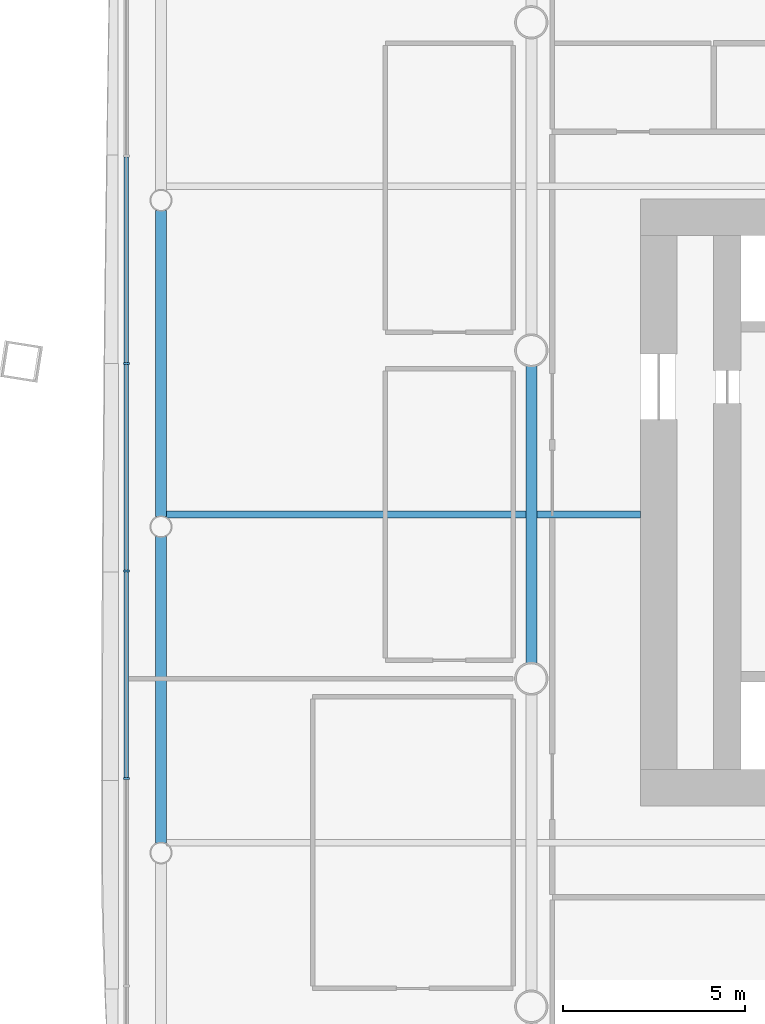
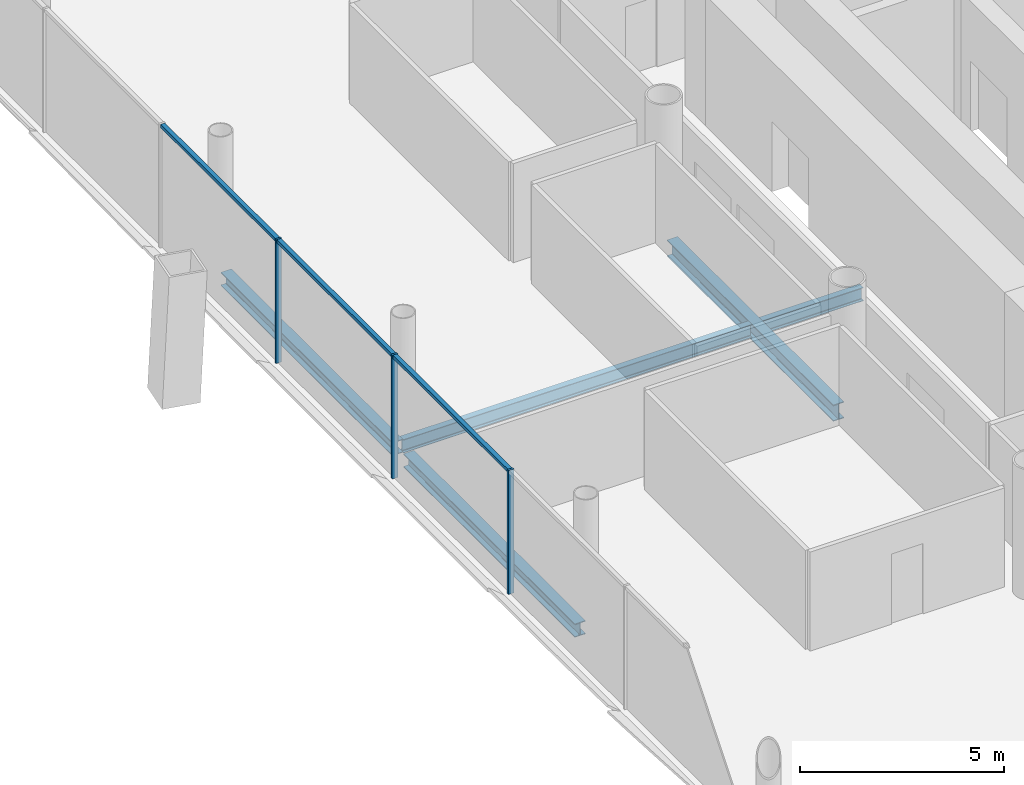
# One storey, part 4 of 20: 6 members, 5 beams, 1 element without a shape of its own.
"""IFC4 building model written with IfcOpenShell, lengths in metres."""

from ifc_helpers import new_model, si_unit, direction, frame, origin, origin_2d, place, context, subcontext, project, spatial, rectangle, i_section, extrude, material, material_profile, profile_set, type_object, element, aggregate, save


model = new_model("IFC4")

# Units and contexts
model_context = context("Model", 3, precision=1e-05, world=origin(), true_north=direction((0.0, 1.0)))
body_context = subcontext(model_context, "Body", "Model", "MODEL_VIEW")
ifc_project = project(units=[si_unit("LENGTHUNIT", "METRE"), si_unit("AREAUNIT", "SQUARE_METRE"), si_unit("VOLUMEUNIT", "CUBIC_METRE"), si_unit("PLANEANGLEUNIT", "RADIAN"), si_unit("MASSUNIT", "GRAM", prefix="KILO")], contexts=[model_context])

# Site, building, storey
site_placement = place(None, origin())
site = spatial("IfcSite", under=ifc_project, at=site_placement, CompositionType="ELEMENT")
building_placement = place(site_placement, origin())
building = spatial("IfcBuilding", under=site, at=building_placement, Name="Tskaro Facet Tower", CompositionType="ELEMENT")
storey_placement = place(building_placement, frame((0.0, 0.0, 49.800048828125)))
storey = spatial("IfcBuildingStorey", under=building, at=storey_placement, Name="L11", CompositionType="ELEMENT", Elevation=49.800048828125)

# Curtain wall, members
ifc_material_1 = material(Name="Bronze anodised aluminium 6063-T6", Category="aluminium")
curtain_wall_type = type_object("IfcCurtainWallType", Name="Bronze office curtain wall (FW1)", PredefinedType="NOTDEFINED", material=ifc_material_1)
curtain_wall_placement = place(storey_placement, origin())
curtain_wall = element("IfcCurtainWall", 1, at=curtain_wall_placement, inside=storey, type_object=curtain_wall_type, Name="FW1 west facet L11", PredefinedType="NOTDEFINED")
ifc_material_profile_1 = material_profile(ifc_material_1, rectangle(XDim=0.06005859375, YDim=0.159912109375, at=origin_2d()), Name="Mullion 60x160")
ifc_profile_set_1 = profile_set([ifc_material_profile_1], Name="Bronze anodised aluminium 6063-T6")
member_type_1 = type_object("IfcMemberType", Name="FW1 bronze mullion 60x160", PredefinedType="MULLION", material=ifc_profile_set_1)
member_1_placement = place(storey_placement, frame((-29.10693359375, -0.3583984375, 0.0), z_axis=(0.0, 0.0, 1.0), x_axis=(0.0, -1.0, 0.0)))
member_1 = element("IfcMember", 2, at=member_1_placement, type_object=member_type_1, Name="FW1 west mullion 4", PredefinedType="MULLION", context=body_context, shape_type="SweptSolid", body=[
    extrude(rectangle(XDim=0.06005859375, YDim=0.159912109375, at=origin_2d()), origin(), (0.0, 0.0, 1.0), 3.699951171875),
])
member_2_placement = place(storey_placement, frame((-29.10693359375, -6.04931640625, 0.0), z_axis=(0.0, 0.0, 1.0), x_axis=(0.0, -1.0, 0.0)))
member_2 = element("IfcMember", 3, at=member_2_placement, type_object=member_type_1, Name="FW1 west mullion 5", PredefinedType="MULLION", context=body_context, shape_type="SweptSolid", body=[
    extrude(rectangle(XDim=0.06005859375, YDim=0.159912109375, at=origin_2d()), origin(), (0.0, 0.0, 1.0), 3.699951171875),
])
member_3_placement = place(storey_placement, frame((-29.10693359375, -11.740234375, 0.0), z_axis=(0.0, 0.0, 1.0), x_axis=(0.0, -1.0, 0.0)))
member_3 = element("IfcMember", 4, at=member_3_placement, type_object=member_type_1, Name="FW1 west mullion 6", PredefinedType="MULLION", context=body_context, shape_type="SweptSolid", body=[
    extrude(rectangle(XDim=0.06005859375, YDim=0.159912109375, at=origin_2d()), origin(), (0.0, 0.0, 1.0), 3.699951171875),
])
ifc_material_profile_2 = material_profile(ifc_material_1, rectangle(XDim=0.1201171875, YDim=0.10009765625, at=origin_2d()), Name="Transom 120x100")
ifc_profile_set_2 = profile_set([ifc_material_profile_2], Name="Bronze anodised aluminium 6063-T6")
member_type_2 = type_object("IfcMemberType", Name="FW1 bronze transom 120x100", PredefinedType="USERDEFINED", material=ifc_profile_set_2)
member_4_placement = place(storey_placement, frame((-29.10693359375, 5.302490234375, 3.64990234375), z_axis=(0.0, -1.0, 0.0), x_axis=(1.0, 0.0, 0.0)))
member_4 = element("IfcMember", 5, at=member_4_placement, type_object=member_type_2, Name="FW1 west transom 4.1", ObjectType="TRANSOM", PredefinedType="USERDEFINED", context=body_context, shape_type="SweptSolid", body=[
    extrude(rectangle(XDim=0.1201171875, YDim=0.10009765625, at=origin_2d()), origin(), (0.0, 0.0, 1.0), 5.631103515625),
])
member_5_placement = place(storey_placement, frame((-29.10693359375, -0.388427734375, 3.64990234375), z_axis=(0.0, -1.0, 0.0), x_axis=(1.0, 0.0, 0.0)))
member_5 = element("IfcMember", 6, at=member_5_placement, type_object=member_type_2, Name="FW1 west transom 5.1", ObjectType="TRANSOM", PredefinedType="USERDEFINED", context=body_context, shape_type="SweptSolid", body=[
    extrude(rectangle(XDim=0.1201171875, YDim=0.10009765625, at=origin_2d()), origin(), (0.0, 0.0, 1.0), 5.630859375),
])
member_6_placement = place(storey_placement, frame((-29.10693359375, -6.079345703125, 3.64990234375), z_axis=(0.0, -1.0, 0.0), x_axis=(1.0, 0.0, 0.0)))
member_6 = element("IfcMember", 7, at=member_6_placement, type_object=member_type_2, Name="FW1 west transom 6.1", ObjectType="TRANSOM", PredefinedType="USERDEFINED", context=body_context, shape_type="SweptSolid", body=[
    extrude(rectangle(XDim=0.1201171875, YDim=0.10009765625, at=origin_2d()), origin(), (0.0, 0.0, 1.0), 5.630859375),
])
aggregate(curtain_wall, [member_1, member_2, member_3, member_4, member_5, member_6])

# Beams
ifc_material_2 = material(Name="Steel S355J2", Category="steel")
ifc_material_profile_3 = material_profile(ifc_material_2, i_section(OverallWidth=0.300048828125, OverallDepth=0.39990234375, WebThickness=0.013427734375, FlangeThickness=0.02392578125, FilletRadius=0.027099609375, at=origin_2d()), Name="HE 400 B")
ifc_profile_set_3 = profile_set([ifc_material_profile_3], Name="Steel S355J2")
beam_type_1 = type_object("IfcBeamType", Name="HE 400 B ring beam", PredefinedType="BEAM", material=ifc_profile_set_3)
beam_1_placement = place(storey_placement, frame((-28.156982421875, 3.841064453125, -0.340087890625), z_axis=(0.0, -1.0, 0.0), x_axis=(1.0, 0.0, 0.0)))
element("IfcBeam", 8, at=beam_1_placement, inside=storey, type_object=beam_type_1, Name="HE 400 B EB22-1", PredefinedType="BEAM", context=body_context, shape_type="SweptSolid", body=[
    extrude(i_section(OverallWidth=0.300048828125, OverallDepth=0.39990234375, WebThickness=0.013427734375, FlangeThickness=0.02392578125, FilletRadius=0.027099609375, at=origin_2d()), origin(), (0.0, 0.0, 1.0), 8.399169921875),
])
beam_2_placement = place(storey_placement, frame((-28.156982421875, -5.10791015625, -0.340087890625), z_axis=(0.0, -1.0, 0.0), x_axis=(1.0, 0.0, 0.0)))
element("IfcBeam", 9, at=beam_2_placement, inside=storey, type_object=beam_type_1, Name="HE 400 B EB23-1", PredefinedType="BEAM", context=body_context, shape_type="SweptSolid", body=[
    extrude(i_section(OverallWidth=0.300048828125, OverallDepth=0.39990234375, WebThickness=0.013427734375, FlangeThickness=0.02392578125, FilletRadius=0.027099609375, at=origin_2d()), origin(), (0.0, 0.0, 1.0), 8.398193359375),
])
ifc_material_profile_4 = material_profile(ifc_material_2, i_section(OverallWidth=0.300048828125, OverallDepth=0.489990234375, WebThickness=0.011962890625, FlangeThickness=0.02294921875, FilletRadius=0.027099609375, at=origin_2d()), Name="HE 500 A")
ifc_profile_set_4 = profile_set([ifc_material_profile_4], Name="Steel S355J2")
beam_type_2 = type_object("IfcBeamType", Name="HE 500 A girder", PredefinedType="BEAM", material=ifc_profile_set_4)
beam_3_placement = place(storey_placement, frame((-18.0, -8.57275390625, -0.385009765625), z_axis=(0.0, 1.0, 0.0), x_axis=(-1.0, 0.0, 0.0)))
element("IfcBeam", 10, at=beam_3_placement, inside=storey, type_object=beam_type_2, Name="HE 500 A GB2-3-1", PredefinedType="BEAM", context=body_context, shape_type="SweptSolid", body=[
    extrude(i_section(OverallWidth=0.300048828125, OverallDepth=0.489990234375, WebThickness=0.011962890625, FlangeThickness=0.02294921875, FilletRadius=0.027099609375, at=origin_2d()), origin(), (0.0, 0.0, 1.0), 8.1455078125),
])
ifc_material_profile_5 = material_profile(ifc_material_2, i_section(OverallWidth=0.179931640625, OverallDepth=0.39990234375, WebThickness=0.008544921875, FlangeThickness=0.013427734375, FilletRadius=0.02099609375, at=origin_2d()), Name="IPE 400")
ifc_profile_set_5 = profile_set([ifc_material_profile_5], Name="Steel S355J2")
beam_type_3 = type_object("IfcBeamType", Name="IPE 400 secondary beam", PredefinedType="BEAM", material=ifc_profile_set_5)
beam_4_placement = place(storey_placement, frame((-28.007080078125, -4.5, -0.340087890625), z_axis=(1.0, 0.0, 0.0), x_axis=(0.0, 1.0, 0.0)))
element("IfcBeam", 11, at=beam_4_placement, inside=storey, type_object=beam_type_3, Name="IPE 400 SB3a-1-1", PredefinedType="BEAM", context=body_context, shape_type="SweptSolid", body=[
    extrude(i_section(OverallWidth=0.179931640625, OverallDepth=0.39990234375, WebThickness=0.008544921875, FlangeThickness=0.013427734375, FilletRadius=0.02099609375, at=origin_2d()), origin(), (0.0, 0.0, 1.0), 9.857177734375),
])
beam_5_placement = place(storey_placement, frame((-17.85009765625, -4.5, -0.340087890625), z_axis=(1.0, 0.0, 0.0), x_axis=(0.0, 1.0, 0.0)))
element("IfcBeam", 12, at=beam_5_placement, inside=storey, type_object=beam_type_3, Name="IPE 400 SB3a-2-1", PredefinedType="BEAM", context=body_context, shape_type="SweptSolid", body=[
    extrude(i_section(OverallWidth=0.179931640625, OverallDepth=0.39990234375, WebThickness=0.008544921875, FlangeThickness=0.013427734375, FilletRadius=0.02099609375, at=origin_2d()), origin(), (0.0, 0.0, 1.0), 2.85009765625),
])

save(model, "model.ifc")
